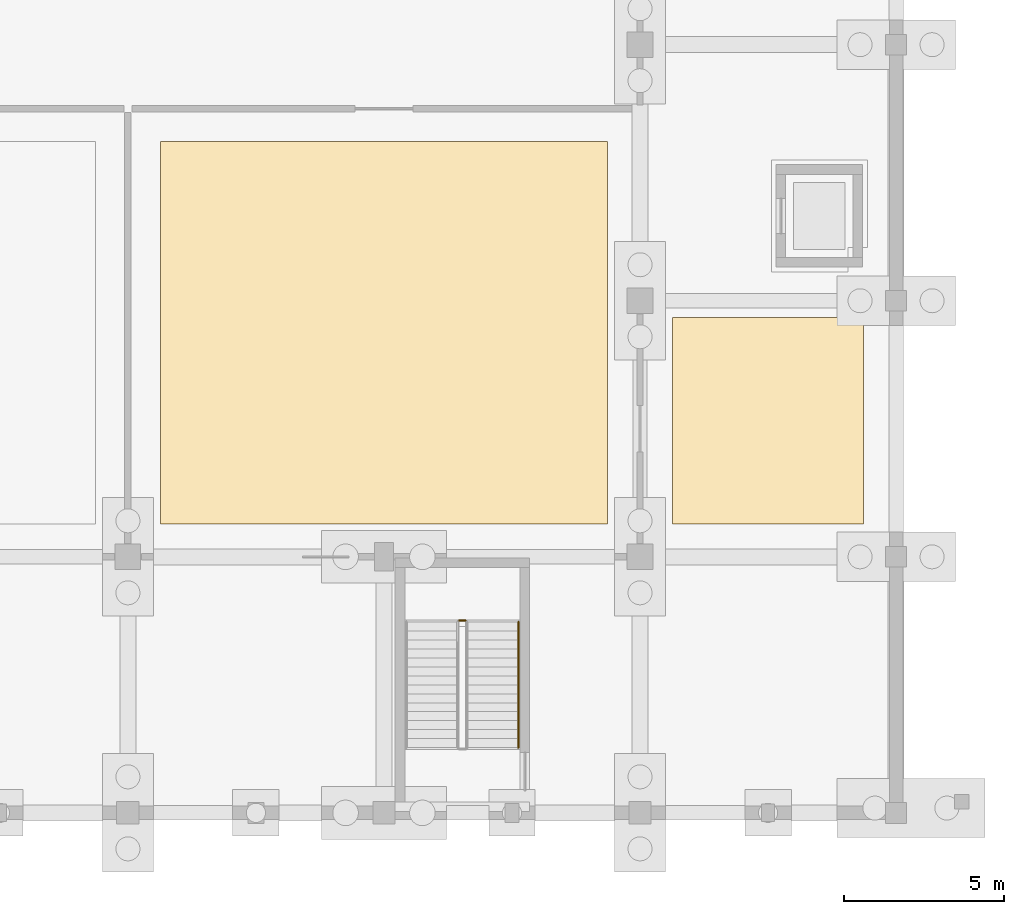
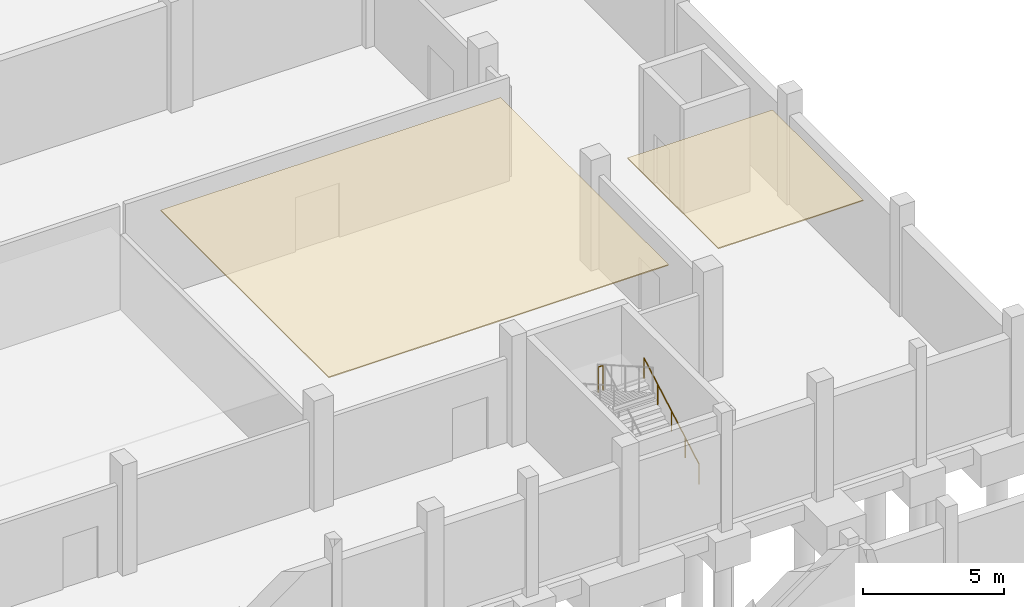
# One storey, part 40 of 52: 2 coverings, 2 railings.
"""IFC4 building model written with IfcOpenShell, lengths in metres."""

from ifc_helpers import new_model, si_unit, direction, frame, origin, origin_2d, place, context, subcontext, project, spatial, polyline, circle, outline, extrude, material, layer, layer_set, type_object, element, save


model = new_model("IFC4")

# Units and contexts
model_context = context("Model", 3, precision=1e-05, world=origin(), true_north=direction((0.0, 1.0)))
body_context = subcontext(model_context, "Body", "Model", "MODEL_VIEW")
ifc_project = project(units=[si_unit("LENGTHUNIT", "METRE"), si_unit("AREAUNIT", "SQUARE_METRE"), si_unit("VOLUMEUNIT", "CUBIC_METRE"), si_unit("PLANEANGLEUNIT", "RADIAN"), si_unit("MASSUNIT", "GRAM", prefix="KILO")], contexts=[model_context])

# Site, building, storey
site_placement = place(None, origin())
site = spatial("IfcSite", under=ifc_project, at=site_placement, CompositionType="ELEMENT")
building_placement = place(site_placement, origin())
building = spatial("IfcBuilding", under=site, at=building_placement, Name="Luwemba Playhouse", CompositionType="ELEMENT")
storey_placement = place(building_placement, frame((0.0, 0.0, -4.800048828125)))
storey = spatial("IfcBuildingStorey", under=building, at=storey_placement, Name="B1", CompositionType="ELEMENT", Elevation=-4.800048828125)

# Coverings
ifc_material_1 = material(Name="Perforated acoustic gypsum and timber baffle ceiling", Category="wood")
ifc_layer = layer(ifc_material_1, 0.044921875)
ifc_layer_set = layer_set([ifc_layer], Name="Perforated acoustic gypsum and timber baffle ceiling")
covering_type = type_object("IfcCoveringType", Name="COV-CEIL-AC", PredefinedType="CEILING", material=ifc_layer_set)
covering_1_placement = place(storey_placement, frame((0.0, 0.0, 4.455078125)))
element("IfcCovering", 1, at=covering_1_placement, inside=storey, type_object=covering_type, Name="B1 Instrument Vault and Ensemble Room acoustic ceiling cloud", PredefinedType="CEILING", context=body_context, shape_type="SweptSolid", body=[
    extrude(outline(polyline([(29.02001953125, 45.02001953125), (42.97998046875, 45.02001953125), (42.97998046875, 56.97998046875), (29.02001953125, 56.97998046875), (29.02001953125, 45.02001953125)])), origin(), (0.0, 0.0, 1.0), 0.044921875),
])
covering_2_placement = place(storey_placement, frame((0.0, 0.0, 4.455078125)))
element("IfcCovering", 2, at=covering_2_placement, inside=storey, type_object=covering_type, Name="B1 Patron Cloakroom and Interval Store acoustic ceiling cloud", PredefinedType="CEILING", context=body_context, shape_type="SweptSolid", body=[
    extrude(outline(polyline([(45.02001953125, 45.02001953125), (50.97998046875, 45.02001953125), (50.97998046875, 51.47998046875), (45.02001953125, 51.47998046875), (45.02001953125, 45.02001953125)])), origin(), (0.0, 0.0, 1.0), 0.044921875),
])

# Railings
ifc_material_2 = material(Name="Painted wrought-iron gallery balustrade", Category="steel")
railing_type_1 = type_object("IfcRailingType", Name="RLG-BAL-INT", PredefinedType="BALUSTRADE", material=ifc_material_2)
railing_1_placement = place(storey_placement, frame((38.550048828125, 42.010009765625, 2.400146484375)))
element("IfcRailing", 3, at=railing_1_placement, inside=storey, type_object=railing_type_1, Name="B1 ST-02 stair guard 2", PredefinedType="BALUSTRADE", context=body_context, shape_type="SweptSolid", body=[
    extrude(circle(Radius=0.02392578125, at=origin_2d()), frame((0.0, 0.0, 1.09619140625), z_axis=(-1.0, 0.0, 0.0), x_axis=(0.0, -1.0, 0.0)), (0.0, 0.0, 1.0), 0.199951171875),
    extrude(circle(Radius=0.02099609375, at=origin_2d()), origin(), (0.0, 0.0, 1.0), 1.072021484375),
    extrude(circle(Radius=0.02099609375, at=origin_2d()), frame((-0.199951171875, 0.0, 0.0)), (0.0, 0.0, 1.0), 1.072021484375),
])
ifc_material_3 = material(Name="Hardwood and bronze handrail", Category="wood")
railing_type_2 = type_object("IfcRailingType", Name="RLG-HR-INT", PredefinedType="HANDRAIL", material=ifc_material_3)
railing_2_placement = place(storey_placement, frame((40.199951171875, 38.0400390625, 0.16015625)))
element("IfcRailing", 4, at=railing_2_placement, inside=storey, type_object=railing_type_2, Name="B1 ST-02 stair handrail 1", PredefinedType="HANDRAIL", context=body_context, shape_type="SweptSolid", body=[
    extrude(circle(Radius=0.02392578125, at=origin_2d()), frame((0.0, 0.0, 0.8759765625), z_axis=(0.0, 0.868239814368, 0.496144761885), x_axis=(-1.0, 0.0, 0.0)), (0.0, 0.0, 1.0), 4.514892578125),
    extrude(circle(Radius=0.02099609375, at=origin_2d()), origin(), (0.0, 0.0, 1.0), 0.851806640625),
    extrude(circle(Radius=0.02099609375, at=origin_2d()), frame((0.0, 0.97998046875, 0.56005859375)), (0.0, 0.0, 1.0), 0.851806640625),
    extrude(circle(Radius=0.02099609375, at=origin_2d()), frame((0.0, 1.9599609375, 1.1201171875)), (0.0, 0.0, 1.0), 0.851806640625),
    extrude(circle(Radius=0.02099609375, at=origin_2d()), frame((0.0, 2.93994140625, 1.679931640625)), (0.0, 0.0, 1.0), 0.851806640625),
    extrude(circle(Radius=0.02099609375, at=origin_2d()), frame((0.0, 3.919921875, 2.239990234375)), (0.0, 0.0, 1.0), 0.851806640625),
])

save(model, "model.ifc")
